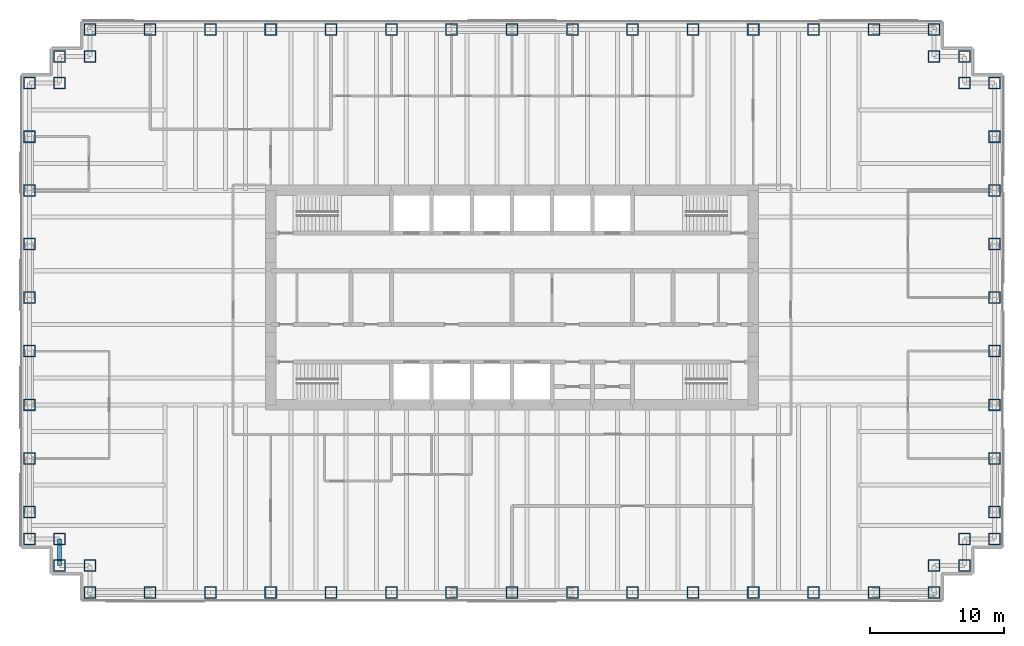
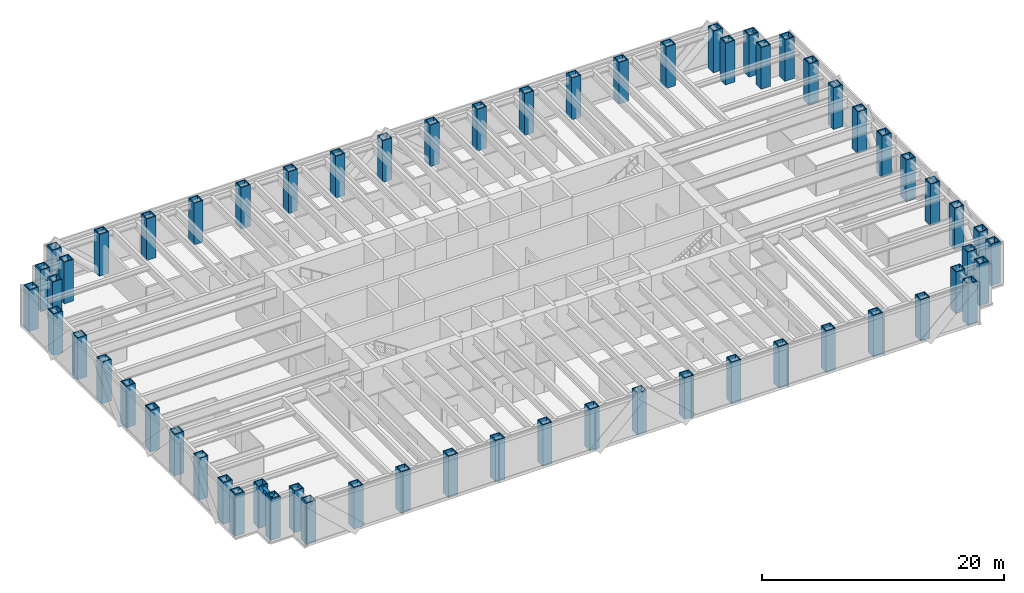
# One storey, part 1 of 14: 62 columns, 1 beam.
"""IFC4 building model written with IfcOpenShell, lengths in metres."""

from ifc_helpers import new_model, si_unit, direction, frame, origin, origin_2d, place, context, subcontext, project, spatial, hollow_rectangle, i_section, extrude, material, material_profile, profile_set, type_object, element, save


model = new_model("IFC4")

# Units and contexts
model_context = context("Model", 3, precision=1e-05, world=origin(), true_north=direction((0.0, 1.0)))
body_context = subcontext(model_context, "Body", "Model", "MODEL_VIEW")
ifc_project = project(units=[si_unit("LENGTHUNIT", "METRE"), si_unit("AREAUNIT", "SQUARE_METRE"), si_unit("VOLUMEUNIT", "CUBIC_METRE"), si_unit("PLANEANGLEUNIT", "RADIAN"), si_unit("MASSUNIT", "GRAM", prefix="KILO")], contexts=[model_context])

# Site, building, storey
site_placement = place(None, origin())
site = spatial("IfcSite", under=ifc_project, at=site_placement, CompositionType="ELEMENT")
building_placement = place(site_placement, origin())
building = spatial("IfcBuilding", under=site, at=building_placement, Name="Rheinbord Bourse Tower", CompositionType="ELEMENT")
storey_placement = place(building_placement, frame((0.0, 0.0, 240.39990234375)))
storey = spatial("IfcBuildingStorey", under=building, at=storey_placement, Name="L54", CompositionType="ELEMENT", Elevation=240.39990234375)

# Columns
ifc_material_1 = material(Name="Steel S460M", Category="steel")
ifc_material_profile_1 = material_profile(ifc_material_1, hollow_rectangle(XDim=0.89990234375, YDim=0.89990234375, WallThickness=0.080078125, at=origin_2d()), Name="BOX 900x900x80")
ifc_profile_set_1 = profile_set([ifc_material_profile_1], Name="Steel S460M")
column_type = type_object("IfcColumnType", Name="TUBE COLUMN BOX 900x900x80", PredefinedType="COLUMN", material=ifc_profile_set_1)
for number, where, z_axis, x_axis, name in (
    (1, (4.5, 2.0, 0.0), (0.0, 0.0, 1.0), (0.0, 1.0, 0.0), "Column SW-E L54"),
    (2, (9.0, 2.0, 0.0), (0.0, 0.0, 1.0), (0.0, 1.0, 0.0), "Column S-9 L54"),
    (3, (13.5, 2.0, 0.0), (0.0, 0.0, 1.0), (0.0, 1.0, 0.0), "Column S-13.5 L54"),
    (4, (18.0, 2.0, 0.0), (0.0, 0.0, 1.0), (0.0, 1.0, 0.0), "Column S-18 L54"),
    (5, (22.5, 2.0, 0.0), (0.0, 0.0, 1.0), (0.0, 1.0, 0.0), "Column S-22.5 L54"),
    (6, (27.0, 2.0, 0.0), (0.0, 0.0, 1.0), (0.0, 1.0, 0.0), "Column S-27 L54"),
    (7, (31.5, 2.0, 0.0), (0.0, 0.0, 1.0), (0.0, 1.0, 0.0), "Column S-31.5 L54"),
    (8, (36.0, 2.0, 0.0), (0.0, 0.0, 1.0), (0.0, 1.0, 0.0), "Column S-36 L54"),
    (9, (40.5, 2.0, 0.0), (0.0, 0.0, 1.0), (0.0, 1.0, 0.0), "Column S-40.5 L54"),
    (10, (45.0, 2.0, 0.0), (0.0, 0.0, 1.0), (0.0, 1.0, 0.0), "Column S-45 L54"),
    (11, (49.5, 2.0, 0.0), (0.0, 0.0, 1.0), (0.0, 1.0, 0.0), "Column S-49.5 L54"),
    (12, (54.0, 2.0, 0.0), (0.0, 0.0, 1.0), (0.0, 1.0, 0.0), "Column S-54 L54"),
    (13, (58.5, 2.0, 0.0), (0.0, 0.0, 1.0), (0.0, 1.0, 0.0), "Column S-58.5 L54"),
    (14, (63.0, 2.0, 0.0), (0.0, 0.0, 1.0), (0.0, 1.0, 0.0), "Column S-63 L54"),
    (15, (67.5, 2.0, 0.0), (0.0, 0.0, 1.0), (0.0, 1.0, 0.0), "Column SE-E L54"),
    (16, (67.5, 4.0, 0.0), (0.0, 0.0, 1.0), (0.0, 1.0, 0.0), "Column SE-D L54"),
    (17, (69.75, 4.0, 0.0), (0.0, 0.0, 1.0), (1.0, 0.0, 0.0), "Column SE-C L54"),
    (18, (69.75, 6.0, 0.0), (0.0, 0.0, 1.0), (1.0, 0.0, 0.0), "Column SE-B L54"),
    (19, (72.0, 6.0, 0.0), (0.0, 0.0, 1.0), (1.0, 0.0, 0.0), "Column SE-A L54"),
    (20, (72.0, 8.0, 0.0), (0.0, 0.0, 1.0), (1.0, 0.0, 0.0), "Column E-8 L54"),
    (21, (72.0, 12.0, 0.0), (0.0, 0.0, 1.0), (1.0, 0.0, 0.0), "Column E-12 L54"),
    (22, (72.0, 16.0, 0.0), (0.0, 0.0, 1.0), (1.0, 0.0, 0.0), "Column E-16 L54"),
    (23, (72.0, 20.0, 0.0), (0.0, 0.0, 1.0), (1.0, 0.0, 0.0), "Column E-20 L54"),
    (24, (72.0, 24.0, 0.0), (0.0, 0.0, 1.0), (1.0, 0.0, 0.0), "Column E-24 L54"),
    (25, (72.0, 28.0, 0.0), (0.0, 0.0, 1.0), (1.0, 0.0, 0.0), "Column E-28 L54"),
    (26, (72.0, 32.0, 0.0), (0.0, 0.0, 1.0), (1.0, 0.0, 0.0), "Column E-32 L54"),
    (27, (72.0, 36.0, 0.0), (0.0, 0.0, 1.0), (1.0, 0.0, 0.0), "Column E-36 L54"),
    (28, (72.0, 40.0, 0.0), (0.0, 0.0, 1.0), (1.0, 0.0, 0.0), "Column NE-A L54"),
    (29, (69.75, 40.0, 0.0), (0.0, 0.0, 1.0), (1.0, 0.0, 0.0), "Column NE-B L54"),
    (30, (69.75, 42.0, 0.0), (0.0, 0.0, 1.0), (1.0, 0.0, 0.0), "Column NE-C L54"),
    (31, (67.5, 42.0, 0.0), (0.0, 0.0, 1.0), (0.0, 1.0, 0.0), "Column NE-D L54"),
    (32, (67.5, 44.0, 0.0), (0.0, 0.0, 1.0), (0.0, 1.0, 0.0), "Column NE-E L54"),
    (33, (63.0, 44.0, 0.0), (0.0, 0.0, 1.0), (0.0, 1.0, 0.0), "Column N-63 L54"),
    (34, (58.5, 44.0, 0.0), (0.0, 0.0, 1.0), (0.0, 1.0, 0.0), "Column N-58.5 L54"),
    (35, (54.0, 44.0, 0.0), (0.0, 0.0, 1.0), (0.0, 1.0, 0.0), "Column N-54 L54"),
    (36, (49.5, 44.0, 0.0), (0.0, 0.0, 1.0), (0.0, 1.0, 0.0), "Column N-49.5 L54"),
    (37, (45.0, 44.0, 0.0), (0.0, 0.0, 1.0), (0.0, 1.0, 0.0), "Column N-45 L54"),
    (38, (40.5, 44.0, 0.0), (0.0, 0.0, 1.0), (0.0, 1.0, 0.0), "Column N-40.5 L54"),
    (39, (36.0, 44.0, 0.0), (0.0, 0.0, 1.0), (0.0, 1.0, 0.0), "Column N-36 L54"),
    (40, (31.5, 44.0, 0.0), (0.0, 0.0, 1.0), (0.0, 1.0, 0.0), "Column N-31.5 L54"),
    (41, (27.0, 44.0, 0.0), (0.0, 0.0, 1.0), (0.0, 1.0, 0.0), "Column N-27 L54"),
    (42, (22.5, 44.0, 0.0), (0.0, 0.0, 1.0), (0.0, 1.0, 0.0), "Column N-22.5 L54"),
    (43, (18.0, 44.0, 0.0), (0.0, 0.0, 1.0), (0.0, 1.0, 0.0), "Column N-18 L54"),
    (44, (13.5, 44.0, 0.0), (0.0, 0.0, 1.0), (0.0, 1.0, 0.0), "Column N-13.5 L54"),
    (45, (9.0, 44.0, 0.0), (0.0, 0.0, 1.0), (0.0, 1.0, 0.0), "Column N-9 L54"),
    (46, (4.5, 44.0, 0.0), (0.0, 0.0, 1.0), (0.0, 1.0, 0.0), "Column NW-E L54"),
    (47, (4.5, 42.0, 0.0), (0.0, 0.0, 1.0), (0.0, 1.0, 0.0), "Column NW-D L54"),
    (48, (2.25, 42.0, 0.0), (0.0, 0.0, 1.0), (1.0, 0.0, 0.0), "Column NW-C L54"),
    (49, (2.25, 40.0, 0.0), (0.0, 0.0, 1.0), (1.0, 0.0, 0.0), "Column NW-B L54"),
    (50, (0.0, 40.0, 0.0), (0.0, 0.0, 1.0), (1.0, 0.0, 0.0), "Column NW-A L54"),
    (51, (0.0, 36.0, 0.0), (0.0, 0.0, 1.0), (1.0, 0.0, 0.0), "Column W-36 L54"),
    (52, (0.0, 32.0, 0.0), (0.0, 0.0, 1.0), (1.0, 0.0, 0.0), "Column W-32 L54"),
    (53, (0.0, 28.0, 0.0), (0.0, 0.0, 1.0), (1.0, 0.0, 0.0), "Column W-28 L54"),
    (54, (0.0, 24.0, 0.0), (0.0, 0.0, 1.0), (1.0, 0.0, 0.0), "Column W-24 L54"),
    (55, (0.0, 20.0, 0.0), (0.0, 0.0, 1.0), (1.0, 0.0, 0.0), "Column W-20 L54"),
    (56, (0.0, 16.0, 0.0), (0.0, 0.0, 1.0), (1.0, 0.0, 0.0), "Column W-16 L54"),
    (57, (0.0, 12.0, 0.0), (0.0, 0.0, 1.0), (1.0, 0.0, 0.0), "Column W-12 L54"),
    (58, (0.0, 8.0, 0.0), (0.0, 0.0, 1.0), (1.0, 0.0, 0.0), "Column W-8 L54"),
    (59, (0.0, 6.0, 0.0), (0.0, 0.0, 1.0), (1.0, 0.0, 0.0), "Column SW-A L54"),
    (60, (2.25, 6.0, 0.0), (0.0, 0.0, 1.0), (1.0, 0.0, 0.0), "Column SW-B L54"),
    (61, (2.25, 4.0, 0.0), (0.0, 0.0, 1.0), (1.0, 0.0, 0.0), "Column SW-C L54"),
    (62, (4.5, 4.0, 0.0), (0.0, 0.0, 1.0), (0.0, 1.0, 0.0), "Column SW-D L54"),
):
    element("IfcColumn", number, at=place(storey_placement, frame(where, z_axis=z_axis, x_axis=x_axis)), inside=storey, type_object=column_type, Name=name, PredefinedType="COLUMN", context=body_context, shape_type="SweptSolid", body=[
        extrude(hollow_rectangle(XDim=0.89990234375, YDim=0.89990234375, WallThickness=0.080078125, at=origin_2d()), origin(), (0.0, 0.0, 1.0), 4.2001953125),
    ])

# Beam
ifc_material_2 = material(Name="Steel S460", Category="steel")
ifc_material_profile_2 = material_profile(ifc_material_2, i_section(OverallWidth=0.300048828125, OverallDepth=0.60009765625, WebThickness=0.015380859375, FlangeThickness=0.030029296875, at=origin_2d()), Name="HEB 600")
ifc_profile_set_2 = profile_set([ifc_material_profile_2], Name="Steel S460")
beam_type = type_object("IfcBeamType", Name="SPANDREL HEB 600", PredefinedType="SPANDREL", material=ifc_profile_set_2)
beam_placement = place(storey_placement, frame((2.25, 6.0, 3.739990234375), z_axis=(0.0, -1.0, 0.0), x_axis=(1.0, 0.0, 0.0)))
element("IfcBeam", 63, at=beam_placement, inside=storey, type_object=beam_type, Name="Spandrel SW-B-SW-C under L55", PredefinedType="SPANDREL", context=body_context, shape_type="SweptSolid", body=[
    extrude(i_section(OverallWidth=0.300048828125, OverallDepth=0.60009765625, WebThickness=0.015380859375, FlangeThickness=0.030029296875, at=origin_2d()), origin(), (0.0, 0.0, 1.0), 2.0),
])

save(model, "model.ifc")
